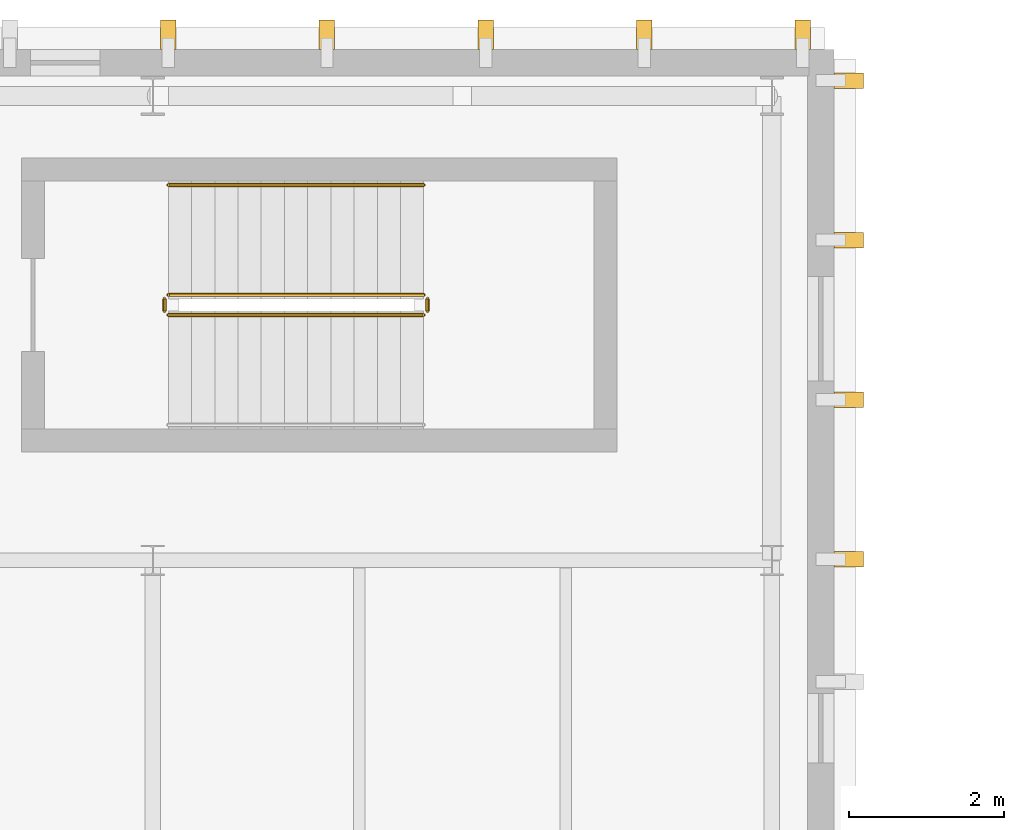
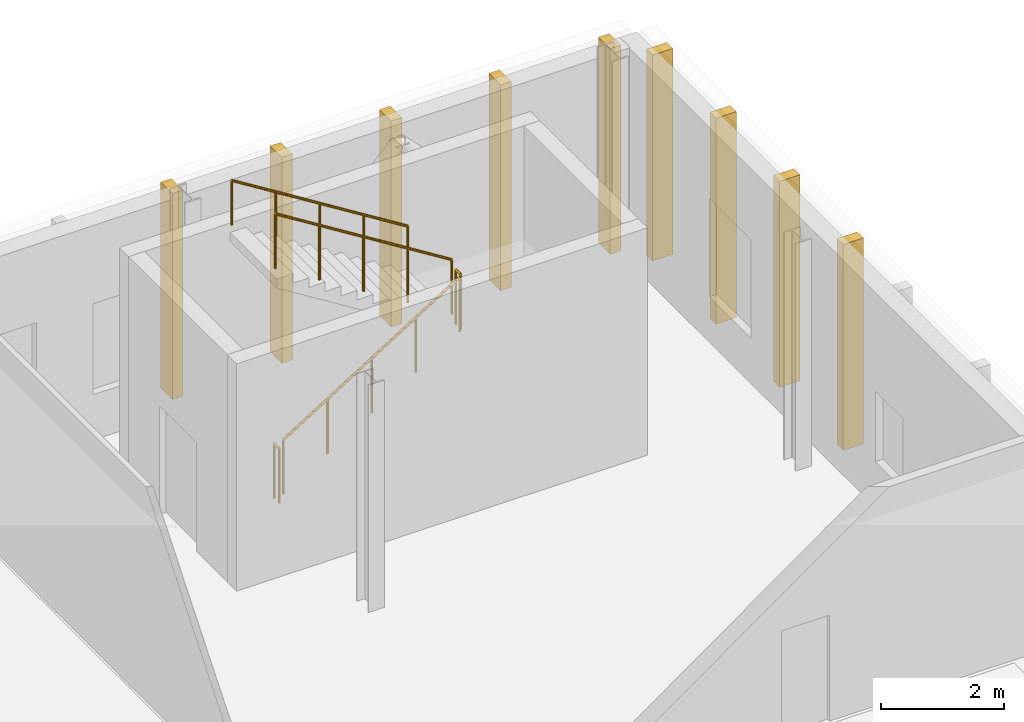
# One storey, part 96 of 100: 9 coverings, 5 railings.
"""IFC4 building model written with IfcOpenShell, lengths in metres."""

from ifc_helpers import new_model, si_unit, direction, frame, origin, origin_2d, place, context, subcontext, project, spatial, rectangle, circle, extrude, material, layer, layer_set, type_object, element, save


model = new_model("IFC4")

# Units and contexts
model_context = context("Model", 3, precision=1e-05, world=origin(), true_north=direction((0.0, 1.0)))
body_context = subcontext(model_context, "Body", "Model", "MODEL_VIEW")
ifc_project = project(units=[si_unit("LENGTHUNIT", "METRE"), si_unit("AREAUNIT", "SQUARE_METRE"), si_unit("VOLUMEUNIT", "CUBIC_METRE"), si_unit("PLANEANGLEUNIT", "RADIAN"), si_unit("MASSUNIT", "GRAM", prefix="KILO")], contexts=[model_context])

# Site, building, storey
site_placement = place(None, origin())
site = spatial("IfcSite", under=ifc_project, at=site_placement, CompositionType="ELEMENT")
building_placement = place(site_placement, origin())
building = spatial("IfcBuilding", under=site, at=building_placement, Name="Cymarion Research Institute", CompositionType="ELEMENT")
storey_placement = place(building_placement, frame((0.0, 0.0, 4.800048828125)))
storey = spatial("IfcBuildingStorey", under=building, at=storey_placement, Name="L01", CompositionType="ELEMENT", Elevation=4.800048828125)

# Railings
ifc_material_1 = material(Name="Steel S355", Category="steel")
railing_type_1 = type_object("IfcRailingType", Name="PAINTED STEEL STAIR GUARDRAIL GR1 1100MM", PredefinedType="GUARDRAIL", material=ifc_material_1)
railing_1_placement = place(storey_placement, frame((38.800048828125, 112.669921875, 0.1875)))
element("IfcRailing", 1, at=railing_1_placement, inside=storey, type_object=railing_type_1, Name="L01 ST10 stair guard 1", PredefinedType="GUARDRAIL", context=body_context, shape_type="SweptSolid", body=[
    extrude(circle(Radius=0.02392578125, at=origin_2d()), frame((0.0, 0.0, 1.076171875), z_axis=(0.848001828478, 0.0, 0.529993300805), x_axis=(0.0, 1.0, 0.0)), (0.0, 0.0, 1.0), 3.8916015625),
    extrude(circle(Radius=0.02099609375, at=origin_2d()), origin(), (0.0, 0.0, 1.0), 1.052001953125),
    extrude(circle(Radius=0.02099609375, at=origin_2d()), frame((0.824951171875, 0.0, 0.515625)), (0.0, 0.0, 1.0), 1.052001953125),
    extrude(circle(Radius=0.02099609375, at=origin_2d()), frame((1.64990234375, 0.0, 1.03125)), (0.0, 0.0, 1.0), 1.052001953125),
    extrude(circle(Radius=0.02099609375, at=origin_2d()), frame((2.47509765625, 0.0, 1.546875)), (0.0, 0.0, 1.0), 1.052001953125),
    extrude(circle(Radius=0.02099609375, at=origin_2d()), frame((3.300048828125, 0.0, 2.0625)), (0.0, 0.0, 1.0), 1.052001953125),
])
railing_2_placement = place(storey_placement, frame((42.14990234375, 112.719970703125, 2.25)))
element("IfcRailing", 2, at=railing_2_placement, inside=storey, type_object=railing_type_1, Name="L01 ST10 stair guard 2", PredefinedType="GUARDRAIL", context=body_context, shape_type="SweptSolid", body=[
    extrude(circle(Radius=0.02392578125, at=origin_2d()), frame((0.0, 0.0, 1.076171875), z_axis=(0.0, 1.0, 0.0), x_axis=(-1.0, 0.0, 0.0)), (0.0, 0.0, 1.0), 0.159912109375),
    extrude(circle(Radius=0.02099609375, at=origin_2d()), origin(), (0.0, 0.0, 1.0), 1.052001953125),
    extrude(circle(Radius=0.02099609375, at=origin_2d()), frame((0.0, 0.159912109375, 0.0)), (0.0, 0.0, 1.0), 1.052001953125),
])
railing_3_placement = place(storey_placement, frame((42.10009765625, 112.929931640625, 2.4375)))
element("IfcRailing", 3, at=railing_3_placement, inside=storey, type_object=railing_type_1, Name="L01 ST10 stair guard 3", PredefinedType="GUARDRAIL", context=body_context, shape_type="SweptSolid", body=[
    extrude(circle(Radius=0.02392578125, at=origin_2d()), frame((0.0, 0.0, 1.076171875), z_axis=(-0.848001828478, 0.0, 0.529993300805), x_axis=(0.0, -1.0, 0.0)), (0.0, 0.0, 1.0), 3.8916015625),
    extrude(circle(Radius=0.02099609375, at=origin_2d()), origin(), (0.0, 0.0, 1.0), 1.052001953125),
    extrude(circle(Radius=0.02099609375, at=origin_2d()), frame((-0.824951171875, 0.0, 0.515625)), (0.0, 0.0, 1.0), 1.052001953125),
    extrude(circle(Radius=0.02099609375, at=origin_2d()), frame((-1.64990234375, 0.0, 1.03125)), (0.0, 0.0, 1.0), 1.052001953125),
    extrude(circle(Radius=0.02099609375, at=origin_2d()), frame((-2.47509765625, 0.0, 1.546875)), (0.0, 0.0, 1.0), 1.052001953125),
    extrude(circle(Radius=0.02099609375, at=origin_2d()), frame((-3.300048828125, 0.0, 2.0625)), (0.0, 0.0, 1.0), 1.052001953125),
])
railing_4_placement = place(storey_placement, frame((38.75, 112.719970703125, 0.0)))
element("IfcRailing", 4, at=railing_4_placement, inside=storey, type_object=railing_type_1, Name="L01 ST10 stair guard 4", PredefinedType="GUARDRAIL", context=body_context, shape_type="SweptSolid", body=[
    extrude(circle(Radius=0.02392578125, at=origin_2d()), frame((0.0, 0.0, 1.076171875), z_axis=(0.0, 1.0, 0.0), x_axis=(-1.0, 0.0, 0.0)), (0.0, 0.0, 1.0), 0.159912109375),
    extrude(circle(Radius=0.02099609375, at=origin_2d()), origin(), (0.0, 0.0, 1.0), 1.052001953125),
    extrude(circle(Radius=0.02099609375, at=origin_2d()), frame((0.0, 0.159912109375, 0.0)), (0.0, 0.0, 1.0), 1.052001953125),
])

# Coverings
ifc_material_2 = material(Name="Precast concrete C45/55 architectural white", Category="concrete")
ifc_layer = layer(ifc_material_2, 0.199951171875)
ifc_layer_set = layer_set([ifc_layer], Name="Precast concrete C45/55 architectural white")
covering_type = type_object("IfcCoveringType", Name="SCULPTURAL WHITE PRECAST CONCRETE VERTICAL RIB RIB1 380X200", PredefinedType="CLADDING", material=ifc_layer_set)
for number, where, z_axis, x_axis, name in (
    (5, (47.592041015625, 109.515380859375, 0.009765625), (0.0, 0.0, 1.0), (1.0, 0.0, 0.0), "L01 V5 sculptural precast vertical rib RIB1 #399"),
    (6, (47.592041015625, 111.576904296875, 0.009765625), (0.0, 0.0, 1.0), (1.0, 0.0, 0.0), "L01 V5 sculptural precast vertical rib RIB1 #400"),
    (7, (47.592041015625, 113.638427734375, 0.009765625), (0.0, 0.0, 1.0), (1.0, 0.0, 0.0), "L01 V5 sculptural precast vertical rib RIB1 #401"),
    (8, (47.592041015625, 115.699951171875, 0.009765625), (0.0, 0.0, 1.0), (1.0, 0.0, 0.0), "L01 V5 sculptural precast vertical rib RIB1 #402"),
    (9, (47.0, 116.2919921875, 0.009765625), (0.0, 0.0, 1.0), (0.0, 1.0, 0.0), "L01 V5 sculptural precast vertical rib RIB1 #404"),
    (10, (44.949951171875, 116.2919921875, 0.009765625), (0.0, 0.0, 1.0), (0.0, 1.0, 0.0), "L01 V5 sculptural precast vertical rib RIB1 #405"),
    (11, (42.89990234375, 116.2919921875, 0.009765625), (0.0, 0.0, 1.0), (0.0, 1.0, 0.0), "L01 V5 sculptural precast vertical rib RIB1 #406"),
    (12, (40.85009765625, 116.2919921875, 0.009765625), (0.0, 0.0, 1.0), (0.0, 1.0, 0.0), "L01 V5 sculptural precast vertical rib RIB1 #407"),
    (13, (38.800048828125, 116.2919921875, 0.009765625), (0.0, 0.0, 1.0), (0.0, 1.0, 0.0), "L01 V5 sculptural precast vertical rib RIB1 #408"),
):
    element("IfcCovering", number, at=place(storey_placement, frame(where, z_axis=z_axis, x_axis=x_axis)), inside=storey, type_object=covering_type, Name=name, PredefinedType="CLADDING", context=body_context, shape_type="SweptSolid", body=[
        extrude(rectangle(XDim=0.3798828125, YDim=0.199951171875, at=origin_2d()), origin(), (0.0, 0.0, 1.0), 4.074951171875),
    ])

# Railing
railing_type_2 = type_object("IfcRailingType", Name="STAINLESS STEEL STAIR HANDRAIL HR1 900MM", PredefinedType="HANDRAIL", material=ifc_material_1)
railing_5_placement = place(storey_placement, frame((42.10009765625, 114.35009765625, 2.4375)))
element("IfcRailing", 14, at=railing_5_placement, inside=storey, type_object=railing_type_2, Name="L01 ST10 stair handrail 2", PredefinedType="HANDRAIL", context=body_context, shape_type="SweptSolid", body=[
    extrude(circle(Radius=0.02392578125, at=origin_2d()), frame((0.0, 0.0, 0.8759765625), z_axis=(-0.848001828478, 0.0, 0.529993300805), x_axis=(0.0, -1.0, 0.0)), (0.0, 0.0, 1.0), 3.8916015625),
    extrude(circle(Radius=0.02099609375, at=origin_2d()), origin(), (0.0, 0.0, 1.0), 0.851806640625),
    extrude(circle(Radius=0.02099609375, at=origin_2d()), frame((-0.824951171875, 0.0, 0.515625)), (0.0, 0.0, 1.0), 0.851806640625),
    extrude(circle(Radius=0.02099609375, at=origin_2d()), frame((-1.64990234375, 0.0, 1.03125)), (0.0, 0.0, 1.0), 0.851806640625),
    extrude(circle(Radius=0.02099609375, at=origin_2d()), frame((-2.47509765625, 0.0, 1.546875)), (0.0, 0.0, 1.0), 0.851806640625),
    extrude(circle(Radius=0.02099609375, at=origin_2d()), frame((-3.300048828125, 0.0, 2.0625)), (0.0, 0.0, 1.0), 0.851806640625),
])

save(model, "model.ifc")
